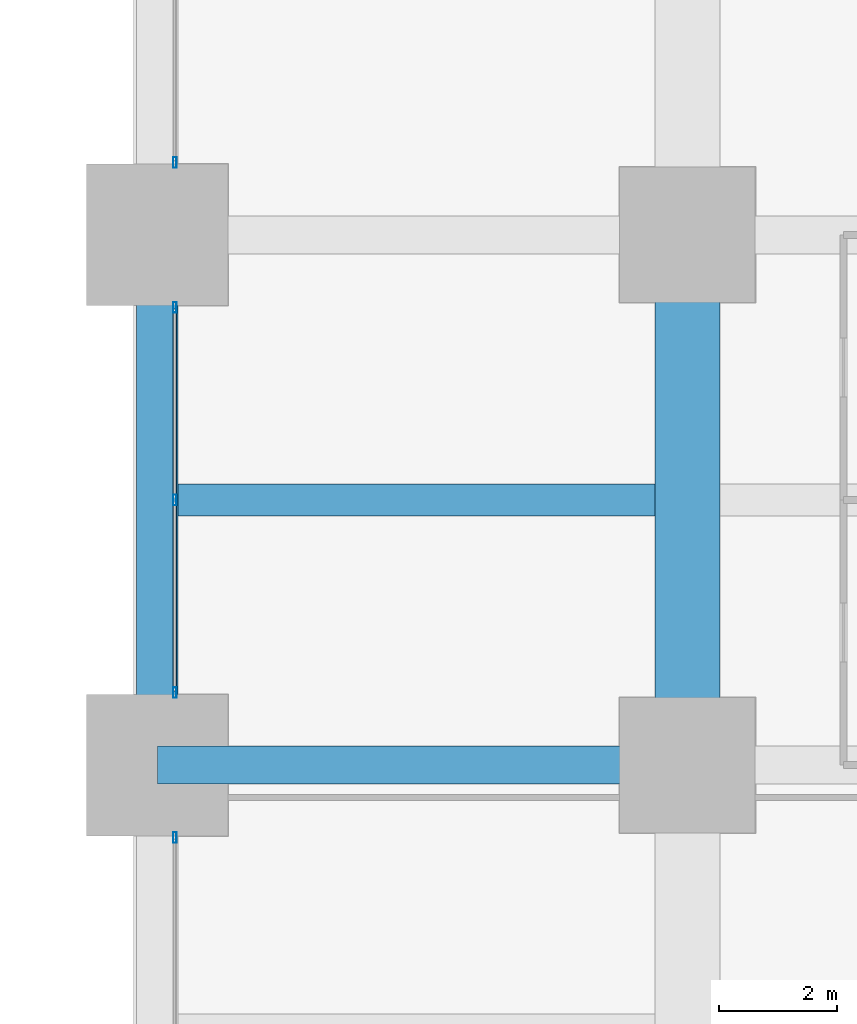
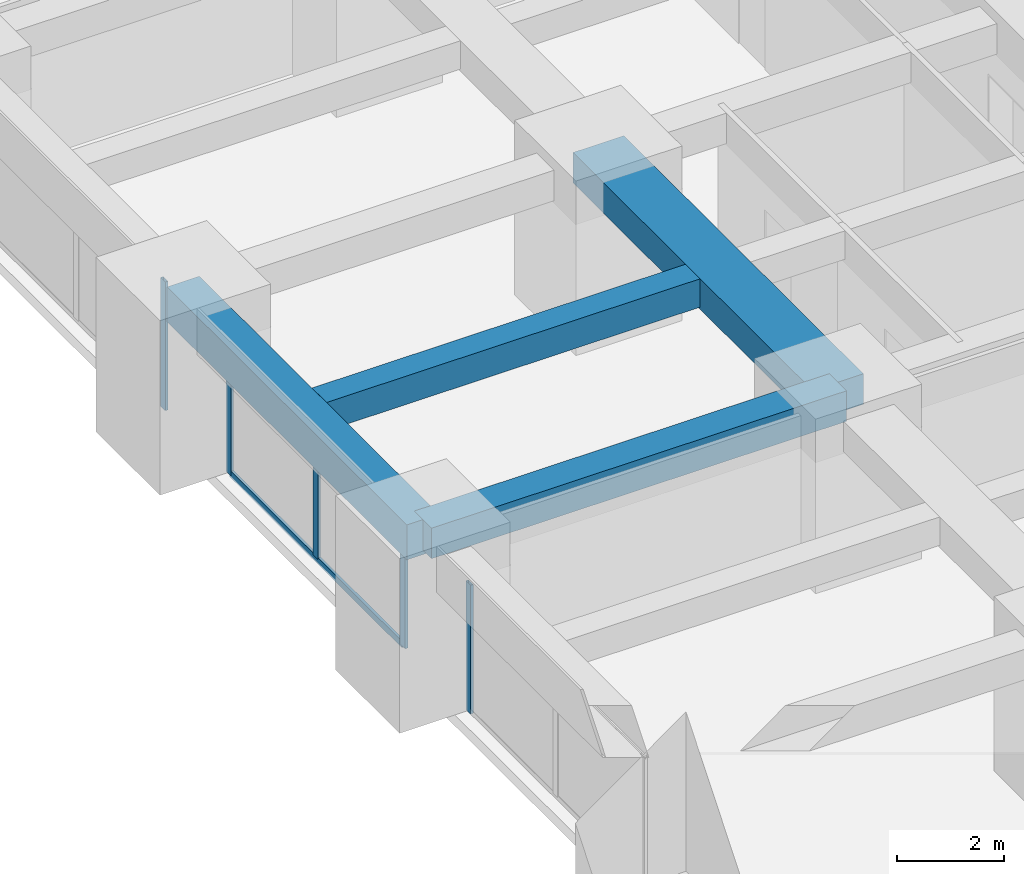
# One storey, part 7 of 39: 6 members, 4 beams, 3 elements without a shape of their own.
"""IFC4 building model written with IfcOpenShell, lengths in metres."""

from ifc_helpers import new_model, si_unit, direction, frame, origin, origin_2d, place, context, subcontext, project, spatial, rectangle, hollow_rectangle, extrude, material, material_profile, profile_set, type_object, element, aggregate, save


model = new_model("IFC4")

# Units and contexts
model_context = context("Model", 3, precision=1e-05, world=origin(), true_north=direction((0.0, 1.0)))
body_context = subcontext(model_context, "Body", "Model", "MODEL_VIEW")
ifc_project = project(units=[si_unit("LENGTHUNIT", "METRE"), si_unit("AREAUNIT", "SQUARE_METRE"), si_unit("VOLUMEUNIT", "CUBIC_METRE"), si_unit("PLANEANGLEUNIT", "RADIAN"), si_unit("MASSUNIT", "GRAM", prefix="KILO")], contexts=[model_context])

# Site, building, storey
site_placement = place(None, origin())
site = spatial("IfcSite", under=ifc_project, at=site_placement, CompositionType="ELEMENT")
building_placement = place(site_placement, origin())
building = spatial("IfcBuilding", under=site, at=building_placement, Name="Zorevar Civic Tower", CompositionType="ELEMENT")
storey_placement = place(building_placement, frame((0.0, 0.0, 19.800048828125)))
storey = spatial("IfcBuildingStorey", under=building, at=storey_placement, Name="L04", CompositionType="ELEMENT", Elevation=19.800048828125)

# Beams
ifc_material_1 = material(Name="Concrete C50/60", Category="concrete")
ifc_material_profile_1 = material_profile(ifc_material_1, rectangle(XDim=1.10009765625, YDim=0.699951171875, at=origin_2d()), Name="RC 1100x700")
ifc_profile_set_1 = profile_set([ifc_material_profile_1], Name="Concrete C50/60")
beam_type_1 = type_object("IfcBeamType", Name="Beam RC 1100x700", PredefinedType="BEAM", material=ifc_profile_set_1)
beam_1_placement = place(storey_placement, frame((9.0, 18.0, 3.39990234375), z_axis=(0.0, 1.0, 0.0), x_axis=(-1.0, 0.0, 0.0)))
element("IfcBeam", 1, at=beam_1_placement, inside=storey, type_object=beam_type_1, Name="Girder L05", PredefinedType="BEAM", context=body_context, shape_type="SweptSolid", body=[
    extrude(rectangle(XDim=1.10009765625, YDim=0.699951171875, at=origin_2d()), origin(), (0.0, 0.0, 1.0), 9.0),
])
ifc_material_2 = material(Name="Concrete C50/60", Category="concrete")
ifc_material_profile_2 = material_profile(ifc_material_2, rectangle(XDim=0.550048828125, YDim=0.64990234375, at=origin_2d()), Name="RC 550x650")
ifc_profile_set_2 = profile_set([ifc_material_profile_2], Name="Concrete C50/60")
beam_type_2 = type_object("IfcBeamType", Name="Beam RC 550x650", PredefinedType="BEAM", material=ifc_profile_set_2)
beam_2_placement = place(storey_placement, frame((0.35009765625, 22.5, 3.425048828125), z_axis=(1.0, 0.0, 0.0), x_axis=(0.0, 1.0, 0.0)))
element("IfcBeam", 2, at=beam_2_placement, inside=storey, type_object=beam_type_2, Name="Secondary beam L05", PredefinedType="BEAM", context=body_context, shape_type="SweptSolid", body=[
    extrude(rectangle(XDim=0.550048828125, YDim=0.64990234375, at=origin_2d()), origin(), (0.0, 0.0, 1.0), 8.099853515625),
])
ifc_material_3 = material(Name="Concrete C50/60", Category="concrete")
ifc_material_profile_3 = material_profile(ifc_material_3, rectangle(XDim=0.64990234375, YDim=0.699951171875, at=origin_2d()), Name="RC 650x700")
ifc_profile_set_3 = profile_set([ifc_material_profile_3], Name="Concrete C50/60")
beam_type_3 = type_object("IfcBeamType", Name="Beam RC 650x700", PredefinedType="BEAM", material=ifc_profile_set_3)
beam_3_placement = place(storey_placement, frame((0.0, 18.0, 3.39990234375), z_axis=(1.0, 0.0, 0.0), x_axis=(0.0, 1.0, 0.0)))
element("IfcBeam", 3, at=beam_3_placement, inside=storey, type_object=beam_type_3, Name="Girder L05", PredefinedType="BEAM", context=body_context, shape_type="SweptSolid", body=[
    extrude(rectangle(XDim=0.64990234375, YDim=0.699951171875, at=origin_2d()), origin(), (0.0, 0.0, 1.0), 9.0),
])

# Curtain wall, member
ifc_material_4 = material(Name="Dark grey solar-control glass in black aluminium frame", Category="aluminium")
curtain_wall_type = type_object("IfcCurtainWallType", Name="Curtain wall CW2 low zone", PredefinedType="NOTDEFINED", material=ifc_material_4)
curtain_wall_1_placement = place(storey_placement, origin())
curtain_wall_1 = element("IfcCurtainWall", 4, at=curtain_wall_1_placement, inside=storey, type_object=curtain_wall_type, Name="CW2 L04", PredefinedType="NOTDEFINED")
ifc_material_5 = material(Name="Aluminium, black anodised", Category="aluminium")
ifc_material_profile_4 = material_profile(ifc_material_5, hollow_rectangle(XDim=0.06005859375, YDim=0.179931640625, WallThickness=0.00390625, at=origin_2d()), Name="AL 180x60x4")
ifc_profile_set_4 = profile_set([ifc_material_profile_4], Name="Aluminium, black anodised")
member_type_1 = type_object("IfcMemberType", Name="CW2 mullion AL 180x60x4", PredefinedType="MULLION", material=ifc_profile_set_4)
member_1_placement = place(storey_placement, frame((0.300048828125, 16.77001953125, 0.0), z_axis=(0.0, 0.0, 1.0), x_axis=(-1.0, 0.0, 0.0)))
member_1 = element("IfcMember", 5, at=member_1_placement, type_object=member_type_1, Name="CW2 mullion 3", PredefinedType="MULLION", context=body_context, shape_type="SweptSolid", body=[
    extrude(hollow_rectangle(XDim=0.06005859375, YDim=0.179931640625, WallThickness=0.00390625, at=origin_2d()), origin(), (0.0, 0.0, 1.0), 2.949951171875),
])
aggregate(curtain_wall_1, [member_1])

# Curtain wall, members
curtain_wall_2_placement = place(storey_placement, origin())
curtain_wall_2 = element("IfcCurtainWall", 6, at=curtain_wall_2_placement, inside=storey, type_object=curtain_wall_type, Name="CW2 L04", PredefinedType="NOTDEFINED")
member_2_placement = place(storey_placement, frame((0.300048828125, 19.22998046875, 0.0), z_axis=(0.0, 0.0, 1.0), x_axis=(-1.0, 0.0, 0.0)))
member_2 = element("IfcMember", 7, at=member_2_placement, type_object=member_type_1, Name="CW2 mullion 1", PredefinedType="MULLION", context=body_context, shape_type="SweptSolid", body=[
    extrude(hollow_rectangle(XDim=0.06005859375, YDim=0.179931640625, WallThickness=0.00390625, at=origin_2d()), origin(), (0.0, 0.0, 1.0), 2.949951171875),
])
member_3_placement = place(storey_placement, frame((0.300048828125, 22.5, 0.06005859375), z_axis=(0.0, 0.0, 1.0), x_axis=(-1.0, 0.0, 0.0)))
member_3 = element("IfcMember", 8, at=member_3_placement, type_object=member_type_1, Name="CW2 mullion 2", PredefinedType="MULLION", context=body_context, shape_type="SweptSolid", body=[
    extrude(hollow_rectangle(XDim=0.06005859375, YDim=0.179931640625, WallThickness=0.00390625, at=origin_2d()), origin(), (0.0, 0.0, 1.0), 2.889892578125),
])
member_4_placement = place(storey_placement, frame((0.300048828125, 25.77001953125, 0.0), z_axis=(0.0, 0.0, 1.0), x_axis=(-1.0, 0.0, 0.0)))
member_4 = element("IfcMember", 9, at=member_4_placement, type_object=member_type_1, Name="CW2 mullion 3", PredefinedType="MULLION", context=body_context, shape_type="SweptSolid", body=[
    extrude(hollow_rectangle(XDim=0.06005859375, YDim=0.179931640625, WallThickness=0.00390625, at=origin_2d()), origin(), (0.0, 0.0, 1.0), 2.949951171875),
])

# Curtain wall, member
curtain_wall_3_placement = place(storey_placement, origin())
curtain_wall_3 = element("IfcCurtainWall", 10, at=curtain_wall_3_placement, inside=storey, type_object=curtain_wall_type, Name="CW2 L04", PredefinedType="NOTDEFINED")
member_5_placement = place(storey_placement, frame((0.300048828125, 28.22998046875, 0.0), z_axis=(0.0, 0.0, 1.0), x_axis=(-1.0, 0.0, 0.0)))
member_5 = element("IfcMember", 11, at=member_5_placement, type_object=member_type_1, Name="CW2 mullion 1", PredefinedType="MULLION", context=body_context, shape_type="SweptSolid", body=[
    extrude(hollow_rectangle(XDim=0.06005859375, YDim=0.179931640625, WallThickness=0.00390625, at=origin_2d()), origin(), (0.0, 0.0, 1.0), 2.949951171875),
])
aggregate(curtain_wall_3, [member_5])

# Member
ifc_material_6 = material(Name="Aluminium, black anodised", Category="aluminium")
ifc_material_profile_5 = material_profile(ifc_material_6, hollow_rectangle(XDim=0.06005859375, YDim=0.14990234375, WallThickness=0.00390625, at=origin_2d()), Name="AL 150x60x4")
ifc_profile_set_5 = profile_set([ifc_material_profile_5], Name="Aluminium, black anodised")
member_type_2 = type_object("IfcMemberType", Name="CW2 transom AL 150x60x4", PredefinedType="USERDEFINED", material=ifc_profile_set_5)
member_6_placement = place(storey_placement, frame((0.300048828125, 19.260009765625, 0.030029296875), z_axis=(0.0, 1.0, 0.0), x_axis=(-1.0, 0.0, 0.0)))
member_6 = element("IfcMember", 12, at=member_6_placement, type_object=member_type_2, Name="CW2 sill transom", ObjectType="TRANSOM", PredefinedType="USERDEFINED", context=body_context, shape_type="SweptSolid", body=[
    extrude(hollow_rectangle(XDim=0.06005859375, YDim=0.14990234375, WallThickness=0.00390625, at=origin_2d()), origin(), (0.0, 0.0, 1.0), 6.47998046875),
])

aggregate(curtain_wall_2, [member_2, member_3, member_4, member_6])

# Beam
ifc_material_7 = material(Name="Concrete C50/60", Category="concrete")
ifc_material_profile_6 = material_profile(ifc_material_7, rectangle(XDim=0.699951171875, YDim=0.800048828125, at=origin_2d()), Name="RC 700x800")
ifc_profile_set_6 = profile_set([ifc_material_profile_6], Name="Concrete C50/60")
beam_type_4 = type_object("IfcBeamType", Name="Edge beam RC 700x800", PredefinedType="SPANDREL", material=ifc_profile_set_6)
beam_4_placement = place(storey_placement, frame((0.0, 18.0, 3.349853515625), z_axis=(0.0, 1.0, 0.0), x_axis=(-1.0, 0.0, 0.0)))
element("IfcBeam", 13, at=beam_4_placement, inside=storey, type_object=beam_type_4, Name="Edge beam L05", PredefinedType="SPANDREL", context=body_context, shape_type="SweptSolid", body=[
    extrude(rectangle(XDim=0.699951171875, YDim=0.800048828125, at=origin_2d()), origin(), (0.0, 0.0, 1.0), 9.0),
])

save(model, "model.ifc")
